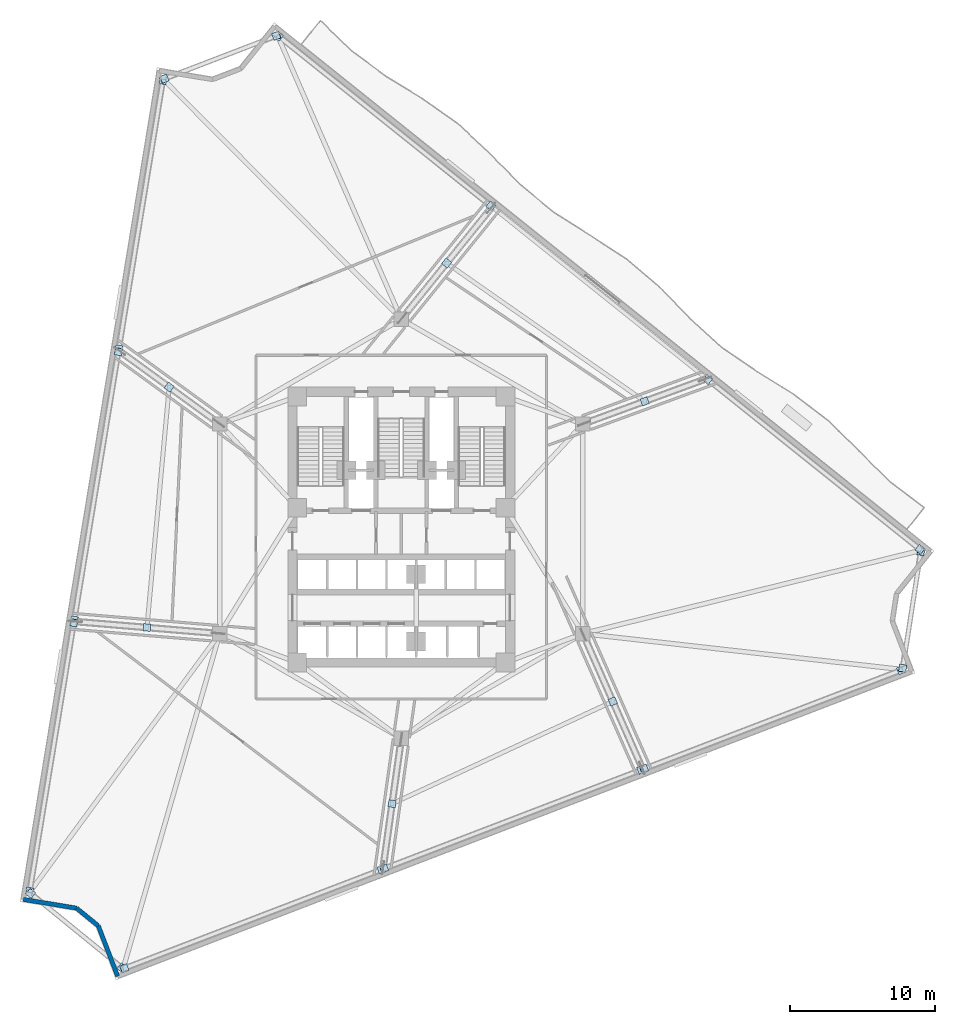
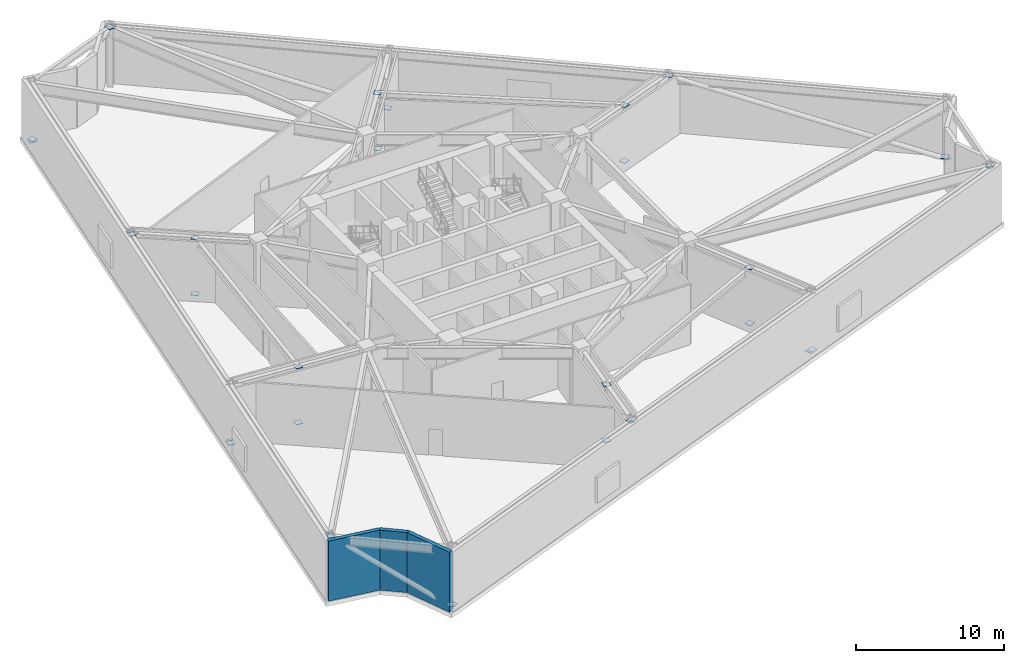
# One storey, part 11 of 18: 34 plates, 3 walls.
"""IFC4 building model written with IfcOpenShell, lengths in metres."""

import ifcopenshell
import ifcopenshell.guid

model = None  # the IFC model being written
_history = None  # IfcOwnerHistory: only IFC2X3 demands one
_inside = {}  # id of a spatial element -> (the spatial element, [elements in it])
_under = {}  # id of a project, library or spatial element -> (it, [spatial elements below it])
_declared = {}  # id of a project -> (the project, [libraries it declares])
_typed = {}  # id of a type object -> (the type object, [elements of that type])
_made_of = {}  # id of a material, layer set ... -> (it, [elements and type objects made of it])


def new_model(schema):
    """Start an empty IFC model of exactly this schema.

    Asked for "IFC4X3", IfcOpenShell would pick the latest addendum, in which some entities
    have other attributes; the version numbers below select the first issue.
    IFC2X3 requires an IfcOwnerHistory on every rooted entity: one is made here for all.
    """
    global model, _history
    if schema == "IFC4X3":
        model = ifcopenshell.file(schema_version=(4, 3, 0, 0))
    else:
        model = ifcopenshell.file(schema=schema)
    _inside.clear()
    _under.clear()
    _declared.clear()
    _typed.clear()
    _made_of.clear()
    _history = None
    if model.schema == "IFC2X3":
        org = make("IfcOrganization", Name="unknown")
        user = make(
            "IfcPersonAndOrganization",
            ThePerson=make("IfcPerson", FamilyName="unknown"),
            TheOrganization=org,
        )
        app = make(
            "IfcApplication",
            ApplicationDeveloper=org,
            Version="unknown",
            ApplicationFullName="unknown",
            ApplicationIdentifier="unknown",
        )
        _history = make(
            "IfcOwnerHistory",
            OwningUser=user,
            OwningApplication=app,
            ChangeAction="ADDED",
            CreationDate=0,
        )
    return model


def make(cls, **values):
    """One entity of the class cls with the attributes given. An attribute that is None is left unset."""
    return model.create_entity(
        cls, **{name: value for name, value in values.items() if value is not None}
    )


def rooted(cls, **values):
    """An entity with a GlobalId (a new one), such as an element, a storey or a relation."""
    return make(cls, GlobalId=ifcopenshell.guid.new(), OwnerHistory=_history, **values)


def si_unit(unit_type, name, prefix=None):
    """IfcSIUnit, for example si_unit("LENGTHUNIT", "METRE", prefix="MILLI")."""
    return make("IfcSIUnit", UnitType=unit_type, Prefix=prefix, Name=name)


def assignment(units):
    """IfcUnitAssignment: the units of a project."""
    return None if units is None else make("IfcUnitAssignment", Units=units)


def point(xyz):
    """IfcCartesianPoint."""
    return None if xyz is None else make("IfcCartesianPoint", Coordinates=xyz)


def direction(xyz):
    """IfcDirection."""
    return None if xyz is None else make("IfcDirection", DirectionRatios=xyz)


def frame(location, z_axis=None, x_axis=None):
    """IfcAxis2Placement3D, a coordinate frame: its origin and axes. An axis left out is left unset."""
    return make(
        "IfcAxis2Placement3D",
        Location=point(location),
        Axis=direction(z_axis),
        RefDirection=direction(x_axis),
    )


def frame_2d(location, x_axis=None):
    """IfcAxis2Placement2D, a coordinate frame in the plane: its origin and x axis."""
    return make(
        "IfcAxis2Placement2D", Location=point(location), RefDirection=direction(x_axis)
    )


def origin():
    """The frame at (0, 0, 0) with its axes left unset."""
    return frame((0.0, 0.0, 0.0))


def origin_2d():
    """The frame at (0, 0) in the plane with its x axis left unset."""
    return frame_2d((0.0, 0.0))


def place(relative_to, where):
    """IfcLocalPlacement: puts the frame where relative to a parent placement (None: the world)."""
    return make(
        "IfcLocalPlacement", PlacementRelTo=relative_to, RelativePlacement=where
    )


def context(
    kind, dimensions, precision=None, world=None, true_north=None, identifier=None
):
    """IfcGeometricRepresentationContext, for example the 3D "Model" context."""
    return make(
        "IfcGeometricRepresentationContext",
        ContextIdentifier=identifier,
        ContextType=kind,
        CoordinateSpaceDimension=dimensions,
        Precision=precision,
        WorldCoordinateSystem=world,
        TrueNorth=true_north,
    )


def subcontext(parent, identifier, kind, view, scale=None):
    """IfcGeometricRepresentationSubContext, for example "Body" below "Model"."""
    return make(
        "IfcGeometricRepresentationSubContext",
        ContextIdentifier=identifier,
        ContextType=kind,
        ParentContext=parent,
        TargetScale=scale,
        TargetView=view,
    )


def project(units=None, contexts=None):
    """IfcProject with its units and contexts."""
    return rooted(
        "IfcProject",
        Name="project",
        RepresentationContexts=contexts,
        UnitsInContext=assignment(units),
    )


def spatial(cls, under=None, at=None, **own):
    """A site, building, storey or space (cls), placed at a placement, below another one or the project."""
    s = rooted(cls, ObjectPlacement=at, **own)
    if under is not None:
        _under.setdefault(under.id(), (under, []))[1].append(s)
    return s


def profile(cls, at=None, kind="AREA", **sizes):
    """A parametric profile (cls). Its sizes go by their IFC names, for example OverallWidth=200.0."""
    return make(cls, ProfileType=kind, Position=at, **sizes)


def rectangle(**sizes):
    """IfcRectangleProfileDef."""
    return profile("IfcRectangleProfileDef", **sizes)


def extrude(swept, where, along, depth):
    """IfcExtrudedAreaSolid: the profile swept, set in the frame where, extruded along a direction by depth."""
    return make(
        "IfcExtrudedAreaSolid",
        SweptArea=swept,
        Position=where,
        ExtrudedDirection=direction(along),
        Depth=depth,
    )


def shape(context_of_items, identifier, shape_type, items):
    """IfcShapeRepresentation: the items that make up one representation, for example the "Body"."""
    return make(
        "IfcShapeRepresentation",
        ContextOfItems=context_of_items,
        RepresentationIdentifier=identifier,
        RepresentationType=shape_type,
        Items=items,
    )


def material(Name=None, Category=None):
    """IfcMaterial."""
    return make("IfcMaterial", Name=Name, Category=Category)


def layer(
    of_material, thickness, ventilated=None, Name=None, Category=None, Priority=None
):
    """IfcMaterialLayer: one layer of a wall or slab, of a material (None: an air gap)."""
    return make(
        "IfcMaterialLayer",
        Material=of_material,
        LayerThickness=thickness,
        IsVentilated=ventilated,
        Name=Name,
        Category=Category,
        Priority=Priority,
    )


def layer_set(layers, Name=None):
    """IfcMaterialLayerSet."""
    return make("IfcMaterialLayerSet", MaterialLayers=layers, LayerSetName=Name)


def made_of(thing, what):
    """Note that an element or type object is made of a material, layer set ...; save() writes the relation."""
    if what is not None:
        _made_of.setdefault(what.id(), (what, []))[1].append(thing)
    return thing


def type_object(cls, material=None, **own):
    """A type object (cls), such as IfcWallType, which elements share."""
    return made_of(rooted(cls, **own), material)


def element(
    cls,
    number,
    at=None,
    inside=None,
    cuts=None,
    type_object=None,
    material=None,
    context=None,
    identifier="Body",
    shape_type=None,
    held_by="IfcProductDefinitionShape",
    body=None,
    shapes=None,
    **own,
):
    """One element of the class cls, such as IfcWall. Its Tag is "e" and its number.

    at: its placement. inside: the storey or other place that contains it. cuts: it is an
    opening in that element (IfcRelVoidsElement). A single representation is given by context,
    identifier, shape_type and body (its items); several are given by shapes. held_by: the class
    of the entity that holds the representations. save() writes the other relations.
    """
    e = rooted(cls, Tag="e%d" % number, ObjectPlacement=at, **own)
    if body is not None:
        shapes = [shape(context, identifier, shape_type, body)]
    if shapes is not None:
        e.Representation = make(held_by, Representations=shapes)
    if inside is not None:
        _inside.setdefault(inside.id(), (inside, []))[1].append(e)
    if cuts is not None:
        rooted(
            "IfcRelVoidsElement", RelatingBuildingElement=cuts, RelatedOpeningElement=e
        )
    if type_object is not None:
        _typed.setdefault(type_object.id(), (type_object, []))[1].append(e)
    return made_of(e, material)


def aggregate(whole, parts):
    """IfcRelAggregates: a whole, such as a stair, and the parts it consists of."""
    return rooted("IfcRelAggregates", RelatingObject=whole, RelatedObjects=parts)


def save(model, path):
    """Write the relations noted so far, then the file.

    IfcRelAggregates (storeys below a building ...), IfcRelContainedInSpatialStructure (elements
    in a storey), IfcRelDefinesByType, IfcRelAssociatesMaterial and IfcRelDeclares: one each for
    every whole, place, type object, material and project.
    """
    for whole, parts in _under.values():
        aggregate(whole, parts)
    for where, things in _inside.values():
        rooted(
            "IfcRelContainedInSpatialStructure",
            RelatedElements=things,
            RelatingStructure=where,
        )
    for kind, things in _typed.values():
        rooted("IfcRelDefinesByType", RelatedObjects=things, RelatingType=kind)
    for what, things in _made_of.values():
        rooted("IfcRelAssociatesMaterial", RelatedObjects=things, RelatingMaterial=what)
    for by, libraries in _declared.values():
        rooted("IfcRelDeclares", RelatingContext=by, RelatedDefinitions=libraries)
    model.write(path)


model = new_model("IFC4")

# Units and contexts
model_context = context("Model", 3, precision=1e-05, world=origin(), true_north=direction((0.0, 1.0)))
body_context = subcontext(model_context, "Body", "Model", "MODEL_VIEW")
ifc_project = project(units=[si_unit("LENGTHUNIT", "METRE"), si_unit("AREAUNIT", "SQUARE_METRE"), si_unit("VOLUMEUNIT", "CUBIC_METRE"), si_unit("PLANEANGLEUNIT", "RADIAN"), si_unit("MASSUNIT", "GRAM", prefix="KILO")], contexts=[model_context])

# Site, building, storey
site_placement = place(None, origin())
site = spatial("IfcSite", under=ifc_project, at=site_placement, CompositionType="ELEMENT")
building_placement = place(site_placement, origin())
building = spatial("IfcBuilding", under=site, at=building_placement, Name="Apsidion Concourse Tower", CompositionType="ELEMENT")
storey_placement = place(building_placement, frame((0.0, 0.0, 127.0)))
storey = spatial("IfcBuildingStorey", under=building, at=storey_placement, Name="L29", CompositionType="ELEMENT", Elevation=127.0)

# Plates
ifc_material_1 = material(Name="Structural steel ASTM A572 Grade 50", Category="steel")
ifc_layer_1 = layer(ifc_material_1, 0.034912109375)
ifc_layer_set_1 = layer_set([ifc_layer_1], Name="Structural steel ASTM A572 Grade 50")
plate_type = type_object("IfcPlateType", Name="PL-ENDCAP-35", PredefinedType="USERDEFINED", material=ifc_layer_set_1)
for number, where, z_axis, x_axis, name in (
    (1, (-17.599853515625, -6.8291015625, 0.22265625), (0.0, 0.0, 1.0), (-0.996522007617, 0.083329996614, 0.0), "L29 Outrigger Strut Base End-Cap Plate CAPA-01"),
    (2, (-17.599853515625, -6.8291015625, 4.83251953125), (0.0, 0.0, 1.0), (-0.996522007617, 0.083329996614, 0.0), "L29 Outrigger Strut Top End-Cap Plate CAPB-01"),
    (3, (14.62841796875, -11.94384765625, 0.22265625), (0.0, 0.0, 1.0), (-0.403225890599, 0.915100475986, 0.0), "L29 Outrigger Strut Base End-Cap Plate CAPA-02"),
    (4, (14.62841796875, -11.94384765625, 4.83251953125), (0.0, 0.0, 1.0), (-0.403225890599, 0.915100475986, 0.0), "L29 Outrigger Strut Top End-Cap Plate CAPB-02"),
    (5, (16.836181640625, 8.818359375, 0.22265625), (0.0, 0.0, 1.0), (0.938854103536, 0.344315222252, 0.0), "L29 Outrigger Strut Base End-Cap Plate CAPA-03"),
    (6, (16.836181640625, 8.818359375, 4.83251953125), (0.0, 0.0, 1.0), (0.938854103536, 0.344315222252, 0.0), "L29 Outrigger Strut Top End-Cap Plate CAPB-03"),
    (7, (3.13671875, 18.381103515625, 0.22265625), (0.0, 0.0, 1.0), (0.628641963719, 0.777694851116, 0.0), "L29 Outrigger Strut Base End-Cap Plate CAPA-04"),
    (8, (3.13671875, 18.381103515625, 4.83251953125), (0.0, 0.0, 1.0), (0.628641963719, 0.777694851116, 0.0), "L29 Outrigger Strut Top End-Cap Plate CAPB-04"),
    (9, (-16.05908203125, 9.798095703125, 0.22265625), (0.0, 0.0, 1.0), (-0.808401023617, 0.588632130464, 0.0), "L29 Outrigger Strut Base End-Cap Plate CAPA-05"),
    (10, (-16.05908203125, 9.798095703125, 4.83251953125), (0.0, 0.0, 1.0), (-0.808401023617, 0.588632130464, 0.0), "L29 Outrigger Strut Top End-Cap Plate CAPB-05"),
    (11, (-0.6376953125, -19.018310546875, 0.22265625), (0.0, 0.0, 1.0), (0.139691585007, 0.990195062136, 0.0), "L29 Outrigger Strut Base End-Cap Plate CAPA-06"),
    (12, (-0.6376953125, -19.018310546875, 4.83251953125), (0.0, 0.0, 1.0), (0.139691585007, 0.990195062136, 0.0), "L29 Outrigger Strut Top End-Cap Plate CAPB-06"),
    (13, (-16.493408203125, 31.001708984375, 0.1025390625), (0.0, 0.0, 1.0), (0.162120515372, 0.986770965572, 0.0), "L29 Belt-Truss Base End Plate BTP-01A"),
    (14, (-19.542236328125, 12.44482421875, 4.83251953125), (0.0, 0.0, 1.0), (0.162120515372, 0.986770965572, 0.0), "L29 Belt-Truss Top End Plate BTP-01B"),
    (15, (-22.623291015625, -6.309326171875, 0.1025390625), (0.0, 0.0, 1.0), (0.162120515372, 0.986770965572, 0.0), "L29 Belt-Truss Base End Plate BTP-02A"),
    (16, (-19.57470703125, 12.24755859375, 4.83251953125), (0.0, 0.0, 1.0), (0.162120515372, 0.986770965572, 0.0), "L29 Belt-Truss Top End Plate BTP-02B"),
    (17, (-22.65576171875, -6.506591796875, 0.1025390625), (0.0, 0.0, 1.0), (0.162120515372, 0.986770965572, 0.0), "L29 Belt-Truss Base End Plate BTP-03A"),
    (18, (-25.70458984375, -25.0634765625, 4.83251953125), (0.0, 0.0, 1.0), (0.162120515372, 0.986770965572, 0.0), "L29 Belt-Truss Top End Plate BTP-03B"),
    (19, (-19.32470703125, -30.3720703125, 0.1025390625), (0.0, 0.0, 1.0), (-0.775385539511, 0.631488135373, 0.0), "L29 Belt-Truss Base End Plate BTP-04A"),
    (20, (-25.643310546875, -25.225341796875, 4.83251953125), (0.0, 0.0, 1.0), (-0.775385539511, 0.631488135373, 0.0), "L29 Belt-Truss Top End Plate BTP-04B"),
    (21, (-19.15380859375, -30.3994140625, 0.1025390625), (0.0, 0.0, 1.0), (0.933580426497, 0.358367949545, 0.0), "L29 Belt-Truss Base End Plate BTP-05A"),
    (22, (-1.36865234375, -23.572265625, 4.83251953125), (0.0, 0.0, 1.0), (0.933580426497, 0.358367949545, 0.0), "L29 Belt-Truss Top End Plate BTP-05B"),
    (23, (16.603271484375, -16.673583984375, 0.1025390625), (0.0, 0.0, 1.0), (0.933580426497, 0.358367949545, 0.0), "L29 Belt-Truss Base End Plate BTP-06A"),
    (24, (-1.181884765625, -23.500732421875, 4.83251953125), (0.0, 0.0, 1.0), (0.933580426497, 0.358367949545, 0.0), "L29 Belt-Truss Top End Plate BTP-06B"),
    (25, (16.7900390625, -16.60205078125, 0.1025390625), (0.0, 0.0, 1.0), (0.933580426497, 0.358367949545, 0.0), "L29 Belt-Truss Base End Plate BTP-07A"),
    (26, (34.5751953125, -9.77490234375, 4.83251953125), (0.0, 0.0, 1.0), (0.933580426497, 0.358367949545, 0.0), "L29 Belt-Truss Top End Plate BTP-07B"),
    (27, (35.935791015625, -1.58740234375, 0.1025390625), (0.0, 0.0, 1.0), (0.15350325046, 0.988148142789, 0.0), "L29 Belt-Truss Base End Plate BTP-08A"),
    (28, (34.68408203125, -9.64013671875, 4.83251953125), (0.0, 0.0, 1.0), (0.15350325046, 0.988148142789, 0.0), "L29 Belt-Truss Top End Plate BTP-08B"),
    (29, (35.873046875, -1.426025390625, 0.1025390625), (0.0, 0.0, 1.0), (-0.780757676633, 0.624833938242, 0.0), "L29 Belt-Truss Base End Plate BTP-09A"),
    (30, (21.1904296875, 10.32421875, 4.83251953125), (0.0, 0.0, 1.0), (-0.780757676633, 0.624833938242, 0.0), "L29 Belt-Truss Top End Plate BTP-09B"),
    (31, (6.1953125, 22.32470703125, 0.1025390625), (0.0, 0.0, 1.0), (-0.780757676633, 0.624833938242, 0.0), "L29 Belt-Truss Base End Plate BTP-11A"),
    (32, (-8.4873046875, 34.0751953125, 4.83251953125), (0.0, 0.0, 1.0), (-0.780757676633, 0.624833938242, 0.0), "L29 Belt-Truss Top End Plate BTP-11B"),
    (33, (-16.3837890625, 31.13623046875, 0.1025390625), (0.0, 0.0, 1.0), (0.933580426497, 0.358367949545, 0.0), "L29 Belt-Truss Base End Plate BTP-12A"),
    (34, (-8.65869140625, 34.101806640625, 4.83251953125), (0.0, 0.0, 1.0), (0.933580426497, 0.358367949545, 0.0), "L29 Belt-Truss Top End Plate BTP-12B"),
):
    element("IfcPlate", number, at=place(storey_placement, frame(where, z_axis=z_axis, x_axis=x_axis)), inside=storey, type_object=plate_type, Name=name, ObjectType="FLANGE_PLATE", PredefinedType="USERDEFINED", context=body_context, shape_type="SweptSolid", body=[
        extrude(rectangle(XDim=0.5, YDim=0.5, at=origin_2d()), origin(), (0.0, 0.0, 1.0), 0.034912109375),
    ])

# Walls
ifc_material_2 = material(Name="Precast concrete C40/50", Category="concrete")
ifc_layer_2 = layer(ifc_material_2, 0.300048828125)
ifc_layer_set_2 = layer_set([ifc_layer_2], Name="Precast concrete C40/50")
wall_type = type_object("IfcWallType", Name="WL-EXT-300", PredefinedType="STANDARD", material=ifc_layer_set_2)
wall_1_placement = place(storey_placement, frame((-19.624267578125, -30.954833984375, 0.0), z_axis=(0.0, 0.0, 1.0), x_axis=(-0.358366059171, 0.933581152142, 0.0)))
element("IfcWall", 35, at=wall_1_placement, inside=storey, type_object=wall_type, Name="L29 Precast Stone Facade Wall 06", PredefinedType="STANDARD", context=body_context, shape_type="SweptSolid", body=[
    extrude(rectangle(XDim=3.73681640625, YDim=0.300048828125, at=frame_2d((1.868408203125, 0.0))), origin(), (0.0, 0.0, 1.0), 4.949951171875),
])
wall_2_placement = place(storey_placement, frame((-20.96337890625, -27.46630859375, 0.0), z_axis=(0.0, 0.0, 1.0), x_axis=(-0.775367830134, 0.631509879569, 0.0)))
element("IfcWall", 36, at=wall_2_placement, inside=storey, type_object=wall_type, Name="L29 Precast Stone Facade Wall 07", PredefinedType="STANDARD", context=body_context, shape_type="SweptSolid", body=[
    extrude(rectangle(XDim=1.93310546875, YDim=0.300048828125, at=frame_2d((0.966552734375, 0.0))), origin(), (0.0, 0.0, 1.0), 4.949951171875),
])
wall_3_placement = place(storey_placement, frame((-22.462158203125, -26.24560546875, 0.0), z_axis=(0.0, 0.0, 1.0), x_axis=(-0.986786597315, 0.16202534172, 0.0)))
element("IfcWall", 37, at=wall_3_placement, inside=storey, type_object=wall_type, Name="L29 Precast Stone Facade Wall 08", PredefinedType="STANDARD", context=body_context, shape_type="SweptSolid", body=[
    extrude(rectangle(XDim=3.73681640625, YDim=0.300048828125, at=frame_2d((1.868408203125, 0.0))), origin(), (0.0, 0.0, 1.0), 4.949951171875),
])

save(model, "model.ifc")
